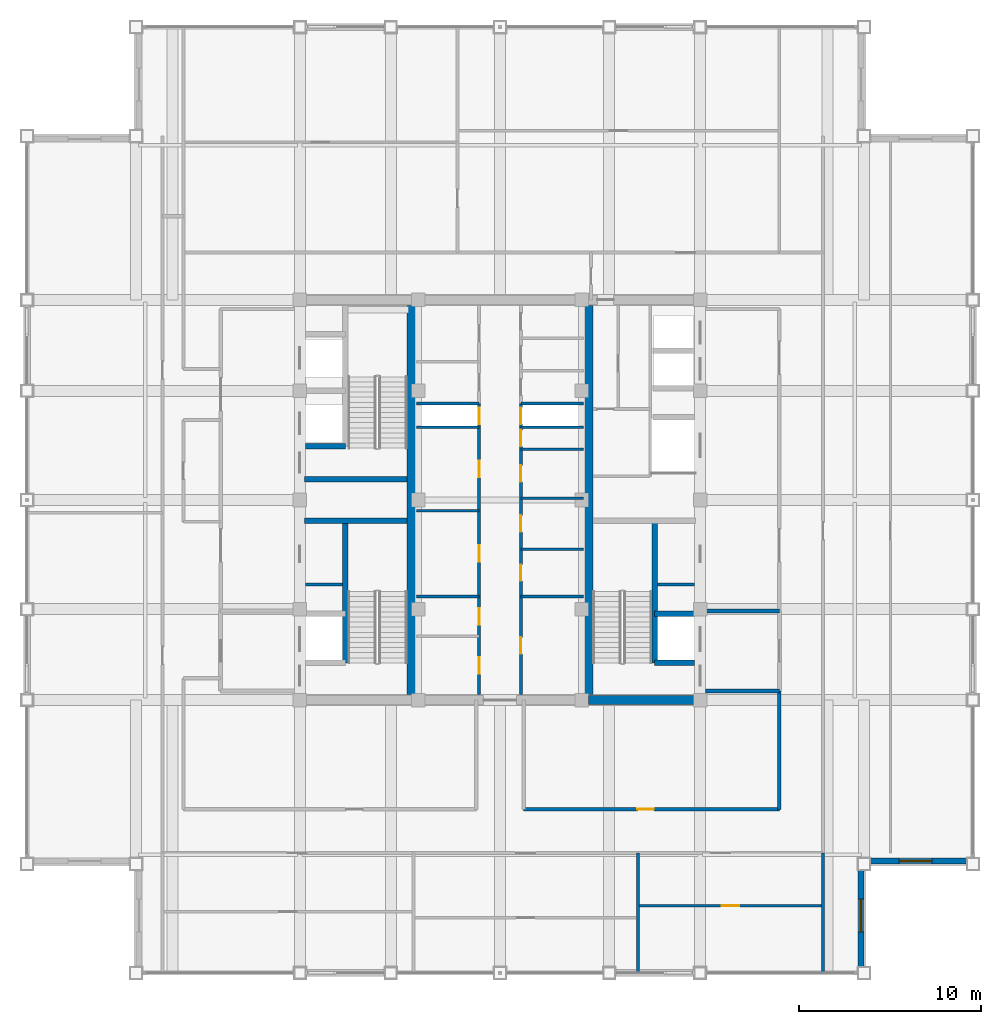
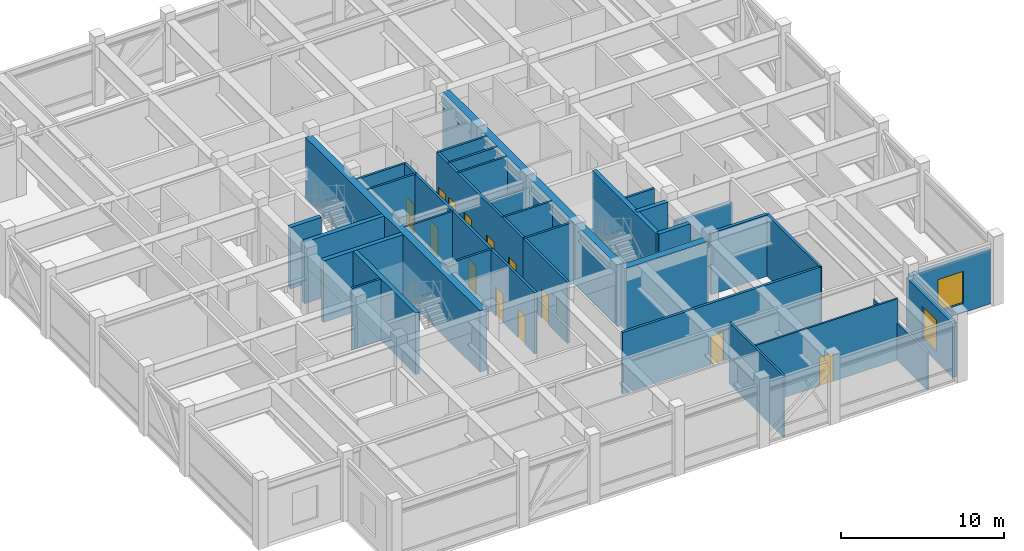
# One storey, part 25 of 29: 35 walls, 13 doors, 2 windows, 15 openings.
"""IFC4 building model written with IfcOpenShell, lengths in metres."""

from ifc_helpers import new_model, si_unit, direction, frame, frame_2d, origin, place, context, subcontext, project, spatial, rectangle, extrude, source, transform, mapped, material, layer, layer_set, type_object, element, fill, save


model = new_model("IFC4")

# Units and contexts
model_context = context("Model", 3, precision=1e-05, world=origin(), true_north=direction((0.0, 1.0)))
body_context = subcontext(model_context, "Body", "Model", "MODEL_VIEW")
ifc_project = project(units=[si_unit("LENGTHUNIT", "METRE"), si_unit("AREAUNIT", "SQUARE_METRE"), si_unit("VOLUMEUNIT", "CUBIC_METRE"), si_unit("PLANEANGLEUNIT", "RADIAN"), si_unit("MASSUNIT", "GRAM", prefix="KILO")], contexts=[model_context])

# Site, building, storey
site_placement = place(None, origin())
site = spatial("IfcSite", under=ifc_project, at=site_placement, CompositionType="ELEMENT")
building_placement = place(site_placement, origin())
building = spatial("IfcBuilding", under=site, at=building_placement, Name="Khorayat Bourse Tower", CompositionType="ELEMENT")
storey_placement = place(building_placement, frame((0.0, 0.0, 370.300048828125)))
storey = spatial("IfcBuildingStorey", under=building, at=storey_placement, Name="L88", CompositionType="ELEMENT", Elevation=370.300048828125)

# Walls
ifc_material_1 = material(Name="Concrete C52/65", Category="concrete")
ifc_layer_1 = layer(ifc_material_1, 0.5)
ifc_layer_set_1 = layer_set([ifc_layer_1], Name="Concrete C52/65")
wall_type_1 = type_object("IfcWallType", Name="WAL-CORE-500", PredefinedType="SHEAR", material=ifc_layer_set_1)
shared_shape_1 = source(origin(), body_context, "Body", "SweptSolid", [
    extrude(rectangle(XDim=21.39990234375, YDim=0.5, at=frame_2d((10.699951171875, 0.0))), origin(), (0.0, 0.0, 1.0), 4.599853515625),
])
for number, where, z_axis, x_axis, name in (
    (1, (-4.85009765625, -10.699951171875, 0.0), (0.0, 0.0, 1.0), (0.0, 1.0, 0.0), "L88 Core Shear Wall PIER-W"),
    (2, (4.85009765625, -10.699951171875, 0.0), (0.0, 0.0, 1.0), (0.0, 1.0, 0.0), "L88 Core Shear Wall PIER-E"),
):
    element("IfcWall", number, at=place(storey_placement, frame(where, z_axis=z_axis, x_axis=x_axis)), inside=storey, type_object=wall_type_1, Name=name, PredefinedType="SHEAR", context=body_context, shape_type="MappedRepresentation", body=[
        mapped(shared_shape_1, transform((0.0, 0.0, 0.0), scale=1.0)),
    ])
ifc_material_2 = material(Name="Concrete C50/60", Category="concrete")
ifc_layer_2 = layer(ifc_material_2, 0.300048828125)
ifc_layer_set_2 = layer_set([ifc_layer_2], Name="Concrete C50/60")
wall_type_2 = type_object("IfcWallType", Name="WAL-SHAFT-300", PredefinedType="SHEAR", material=ifc_layer_set_2)
shared_shape_2 = source(origin(), body_context, "Body", "SweptSolid", [
    extrude(rectangle(XDim=5.64990234375, YDim=0.300048828125, at=frame_2d((2.824951171875, 0.0))), origin(), (0.0, 0.0, 1.0), 4.599853515625),
])
for number, where, z_axis, x_axis, name in (
    (3, (-10.75, -1.14990234375, 0.0), (0.0, 0.0, 1.0), (1.0, 0.0, 0.0), "L88 Core Shear Wall ST1-DIV"),
    (4, (-10.75, 1.14990234375, 0.0), (0.0, 0.0, 1.0), (1.0, 0.0, 0.0), "L88 Core Shear Wall ST2-DIV"),
):
    element("IfcWall", number, at=place(storey_placement, frame(where, z_axis=z_axis, x_axis=x_axis)), inside=storey, type_object=wall_type_2, Name=name, PredefinedType="SHEAR", context=body_context, shape_type="MappedRepresentation", body=[
        mapped(shared_shape_2, transform((0.0, 0.0, 0.0), scale=1.0)),
    ])
shared_shape_3 = source(origin(), body_context, "Body", "SweptSolid", [
    extrude(rectangle(XDim=5.89990234375, YDim=0.5, at=frame_2d((2.949951171875, 0.0))), origin(), (0.0, 0.0, 1.0), 4.599853515625),
])
wall_1_placement = place(storey_placement, frame((4.85009765625, -11.0, 0.0), z_axis=(0.0, 0.0, 1.0), x_axis=(1.0, 0.0, 0.0)))
element("IfcWall", 5, at=wall_1_placement, inside=storey, type_object=wall_type_1, Name="L88 Core Shear Wall PIER-ES", PredefinedType="SHEAR", context=body_context, shape_type="MappedRepresentation", body=[
    mapped(shared_shape_3, transform((0.0, 0.0, 0.0), scale=1.0)),
])

# Wall, opening, window
ifc_material_3 = material(Name="Precast concrete C45/55", Category="concrete")
ifc_layer_3 = layer(ifc_material_3, 0.320068359375)
ifc_layer_set_3 = layer_set([ifc_layer_3], Name="Precast concrete C45/55")
wall_type_3 = type_object("IfcWallType", Name="WAL-EXT-STONE-320", PredefinedType="STANDARD", material=ifc_layer_set_3)
shared_shape_4 = source(origin(), body_context, "Body", "SweptSolid", [
    extrude(rectangle(XDim=5.679931640625, YDim=0.320068359375, at=frame_2d((2.83984375, 0.0))), origin(), (0.0, 0.0, 1.0), 4.051025390625),
])
wall_2_placement = place(storey_placement, frame((19.840087890625, -25.679931640625, 0.0), z_axis=(0.0, 0.0, 1.0), x_axis=(0.0, 1.0, 0.0)))
wall_2 = element("IfcWall", 6, at=wall_2_placement, inside=storey, type_object=wall_type_3, Name="L88 Re-Entrant Notch Limestone Wall SE-V", PredefinedType="STANDARD", context=body_context, shape_type="MappedRepresentation", body=[
    mapped(shared_shape_4, transform((0.0, 0.0, 0.0), scale=1.0)),
])
shared_shape_5 = source(origin(), body_context, "Body", "SweptSolid", [
    extrude(rectangle(XDim=1.800048828125, YDim=2.39990234375, at=frame_2d((0.89990234375, 1.199951171875))), frame((0.0, 0.169921875, 0.0), z_axis=(0.0, -1.0, 0.0), x_axis=(1.0, 0.0, 0.0)), (0.0, 0.0, 1.0), 0.340087890625),
])
opening_1_placement = place(wall_2_placement, frame((1.93994140625, 0.0, 0.699951171875)))
opening_1 = element("IfcOpeningElement", 7, at=opening_1_placement, cuts=wall_2, Name="Opening WN-04", PredefinedType="OPENING", context=body_context, shape_type="MappedRepresentation", body=[
    mapped(shared_shape_5, transform((0.0, 0.0, 0.0), scale=1.0)),
])
ifc_material_4 = material(Name="Low-E acoustic laminated double glazing", Category="glass")
window_type = type_object("IfcWindowType", Name="WIN-NOTCH-1800x2400", PartitioningType="SINGLE_PANEL", PredefinedType="WINDOW", material=ifc_material_4)
shared_shape_6 = source(origin(), body_context, "Body", "SweptSolid", [
    extrude(rectangle(XDim=1.800048828125, YDim=2.39990234375, at=frame_2d((0.89990234375, 1.199951171875))), frame((0.0, 0.030029296875, 0.0), z_axis=(0.0, -1.0, 0.0), x_axis=(1.0, 0.0, 0.0)), (0.0, 0.0, 1.0), 0.06005859375),
])
window_1_placement = place(opening_1_placement, origin())
window_1 = element("IfcWindow", 8, at=window_1_placement, inside=storey, type_object=window_type, Name="L88 Facade Window 1", OverallHeight=2.39990234375, OverallWidth=1.800048828125, PartitioningType="SINGLE_PANEL", PredefinedType="WINDOW", context=body_context, shape_type="MappedRepresentation", body=[
    mapped(shared_shape_6, transform((0.0, 0.0, 0.0), scale=1.0)),
])
fill(opening_1, window_1)

wall_3_placement = place(storey_placement, frame((20.0, -19.840087890625, 0.0), z_axis=(0.0, 0.0, 1.0), x_axis=(1.0, 0.0, 0.0)))
wall_3 = element("IfcWall", 9, at=wall_3_placement, inside=storey, type_object=wall_type_3, Name="L88 Re-Entrant Notch Limestone Wall SE-H", PredefinedType="STANDARD", context=body_context, shape_type="MappedRepresentation", body=[
    mapped(shared_shape_4, transform((0.0, 0.0, 0.0), scale=1.0)),
])
opening_2_placement = place(wall_3_placement, frame((1.93994140625, 0.0, 0.699951171875)))
opening_2 = element("IfcOpeningElement", 10, at=opening_2_placement, cuts=wall_3, Name="Opening WN-04", PredefinedType="OPENING", context=body_context, shape_type="MappedRepresentation", body=[
    mapped(shared_shape_5, transform((0.0, 0.0, 0.0), scale=1.0)),
])
window_2_placement = place(opening_2_placement, origin())
window_2 = element("IfcWindow", 11, at=window_2_placement, inside=storey, type_object=window_type, Name="L88 Facade Window 1", OverallHeight=2.39990234375, OverallWidth=1.800048828125, PartitioningType="SINGLE_PANEL", PredefinedType="WINDOW", context=body_context, shape_type="MappedRepresentation", body=[
    mapped(shared_shape_6, transform((0.0, 0.0, 0.0), scale=1.0)),
])
fill(opening_2, window_2)

# Walls
ifc_material_5 = material(Name="Aerated concrete blockwork", Category="masonry")
ifc_layer_4 = layer(ifc_material_5, 0.219970703125)
ifc_layer_set_4 = layer_set([ifc_layer_4], Name="Aerated concrete blockwork")
wall_type_4 = type_object("IfcWallType", Name="WAL-PART-FF-220", PredefinedType="PARTITIONING", material=ifc_layer_set_4)
shared_shape_7 = source(origin(), body_context, "Body", "SweptSolid", [
    extrude(rectangle(XDim=4.050048828125, YDim=0.219970703125, at=frame_2d((2.02490234375, 0.0))), origin(), (0.0, 0.0, 1.0), 2.800048828125),
])
wall_4_placement = place(storey_placement, frame((11.300048828125, -6.10009765625, 0.0), z_axis=(0.0, 0.0, 1.0), x_axis=(1.0, 0.0, 0.0)))
element("IfcWall", 12, at=wall_4_placement, inside=storey, type_object=wall_type_4, Name="L88 Partition WAL-L88-FFLE-N", PredefinedType="PARTITIONING", context=body_context, shape_type="MappedRepresentation", body=[
    mapped(shared_shape_7, transform((0.0, 0.0, 0.0), scale=1.0)),
])
shared_shape_8 = source(origin(), body_context, "Body", "SweptSolid", [
    extrude(rectangle(XDim=7.800048828125, YDim=0.300048828125, at=frame_2d((3.89990234375, 0.0))), origin(), (0.0, 0.0, 1.0), 4.599853515625),
])
for number, where, z_axis, x_axis, name in (
    (13, (-8.5, -8.949951171875, 0.0), (0.0, 0.0, 1.0), (0.0, 1.0, 0.0), "L88 Partition WAL-L88-WPIER-SP"),
    (14, (8.5, -8.949951171875, 0.0), (0.0, 0.0, 1.0), (0.0, 1.0, 0.0), "L88 Partition WAL-L88-EPIER-SP"),
):
    element("IfcWall", number, at=place(storey_placement, frame(where, z_axis=z_axis, x_axis=x_axis)), inside=storey, type_object=wall_type_2, Name=name, PredefinedType="SHEAR", context=body_context, shape_type="MappedRepresentation", body=[
        mapped(shared_shape_8, transform((0.0, 0.0, 0.0), scale=1.0)),
    ])
shared_shape_9 = source(origin(), body_context, "Body", "SweptSolid", [
    extrude(rectangle(XDim=2.199951171875, YDim=0.300048828125, at=frame_2d((1.10009765625, 0.0))), origin(), (0.0, 0.0, 1.0), 4.599853515625),
])
for number, where, z_axis, x_axis, name in (
    (15, (-10.699951171875, 2.949951171875, 0.0), (0.0, 0.0, 1.0), (1.0, 0.0, 0.0), "L88 Partition WAL-L88-WPIER-H1S"),
    (16, (8.5, -8.949951171875, 0.0), (0.0, 0.0, 1.0), (1.0, 0.0, 0.0), "L88 Partition WAL-L88-EPIER-FF2S"),
    (17, (8.5, -6.25, 0.0), (0.0, 0.0, 1.0), (1.0, 0.0, 0.0), "L88 Partition WAL-L88-EPIER-FF2N"),
):
    element("IfcWall", number, at=place(storey_placement, frame(where, z_axis=z_axis, x_axis=x_axis)), inside=storey, type_object=wall_type_2, Name=name, PredefinedType="SHEAR", context=body_context, shape_type="MappedRepresentation", body=[
        mapped(shared_shape_9, transform((0.0, 0.0, 0.0), scale=1.0)),
    ])
ifc_material_6 = material(Name="Gypsum plasterboard twin-frame partition")
ifc_layer_5 = layer(ifc_material_6, 0.14990234375)
ifc_layer_set_5 = layer_set([ifc_layer_5], Name="Gypsum plasterboard twin-frame partition")
wall_type_5 = type_object("IfcWallType", Name="WAL-PART-SUITE-150", PredefinedType="PARTITIONING", material=ifc_layer_set_5)
shared_shape_10 = source(origin(), body_context, "Body", "SweptSolid", [
    extrude(rectangle(XDim=2.050048828125, YDim=0.14990234375, at=frame_2d((1.02490234375, 0.0))), origin(), (0.0, 0.0, 1.0), 4.599853515625),
])
for number, where, z_axis, x_axis, name in (
    (18, (-10.699951171875, -4.64990234375, 0.0), (0.0, 0.0, 1.0), (1.0, 0.0, 0.0), "L88 Partition WAL-L88-WSRV-S0"),
    (19, (8.64990234375, -4.64990234375, 0.0), (0.0, 0.0, 1.0), (1.0, 0.0, 0.0), "L88 Partition WAL-L88-ESRV-S0"),
):
    element("IfcWall", number, at=place(storey_placement, frame(where, z_axis=z_axis, x_axis=x_axis)), inside=storey, type_object=wall_type_5, Name=name, PredefinedType="PARTITIONING", context=body_context, shape_type="MappedRepresentation", body=[
        mapped(shared_shape_10, transform((0.0, 0.0, 0.0), scale=1.0)),
    ])
shared_shape_11 = source(origin(), body_context, "Body", "SweptSolid", [
    extrude(rectangle(XDim=4.050048828125, YDim=0.219970703125, at=frame_2d((2.02490234375, 0.0))), origin(), (0.0, 0.0, 1.0), 4.599853515625),
])
wall_5_placement = place(storey_placement, frame((11.300048828125, -10.5, 0.0), z_axis=(0.0, 0.0, 1.0), x_axis=(1.0, 0.0, 0.0)))
element("IfcWall", 20, at=wall_5_placement, inside=storey, type_object=wall_type_4, Name="L88 Partition WAL-L88-FFLE-S", PredefinedType="PARTITIONING", context=body_context, shape_type="MappedRepresentation", body=[
    mapped(shared_shape_11, transform((0.0, 0.0, 0.0), scale=1.0)),
])
shared_shape_12 = source(origin(), body_context, "Body", "SweptSolid", [
    extrude(rectangle(XDim=3.4501953125, YDim=0.14990234375, at=frame_2d((1.72509765625, 0.0))), origin(), (0.0, 0.0, 1.0), 4.599853515625),
])
for number, where, z_axis, x_axis, name in (
    (21, (-4.60009765625, 4.0, 0.0), (0.0, 0.0, 1.0), (1.0, 0.0, 0.0), "L88 Partition WAL-L88-CRSW-S"),
    (22, (1.14990234375, 4.0, 0.0), (0.0, 0.0, 1.0), (1.0, 0.0, 0.0), "L88 Partition WAL-L88-CRSE-S"),
    (23, (-4.60009765625, -5.300048828125, 0.0), (0.0, 0.0, 1.0), (1.0, 0.0, 0.0), "L88 Partition WAL-L88-FB1-NW"),
    (24, (1.14990234375, -5.300048828125, 0.0), (0.0, 0.0, 1.0), (1.0, 0.0, 0.0), "L88 Partition WAL-L88-FB1-NE"),
    (25, (-4.60009765625, 5.300048828125, 0.0), (0.0, 0.0, 1.0), (1.0, 0.0, 0.0), "L88 Partition WAL-L88-FB2-SW"),
    (26, (1.14990234375, 5.300048828125, 0.0), (0.0, 0.0, 1.0), (1.0, 0.0, 0.0), "L88 Partition WAL-L88-FB2-SE"),
):
    element("IfcWall", number, at=place(storey_placement, frame(where, z_axis=z_axis, x_axis=x_axis)), inside=storey, type_object=wall_type_5, Name=name, PredefinedType="PARTITIONING", context=body_context, shape_type="MappedRepresentation", body=[
        mapped(shared_shape_12, transform((0.0, 0.0, 0.0), scale=1.0)),
    ])

# Wall, openings, doors
ifc_material_7 = material(Name="Gypsum plasterboard acoustic stud wall")
ifc_layer_6 = layer(ifc_material_7, 0.179931640625)
ifc_layer_set_6 = layer_set([ifc_layer_6], Name="Gypsum plasterboard acoustic stud wall")
wall_type_6 = type_object("IfcWallType", Name="WAL-PART-CORR-180", PredefinedType="PARTITIONING", material=ifc_layer_set_6)
shared_shape_13 = source(origin(), body_context, "Body", "SweptSolid", [
    extrude(rectangle(XDim=5.39990234375, YDim=0.179931640625, at=frame_2d((2.699951171875, 0.0))), origin(), (0.0, 0.0, 1.0), 4.599853515625),
])
wall_6_placement = place(storey_placement, frame((-1.14990234375, -10.699951171875, 0.0), z_axis=(0.0, 0.0, 1.0), x_axis=(0.0, 1.0, 0.0)))
wall_6 = element("IfcWall", 27, at=wall_6_placement, inside=storey, type_object=wall_type_6, Name="L88 Partition WAL-L88-FB1W-L", PredefinedType="PARTITIONING", context=body_context, shape_type="MappedRepresentation", body=[
    mapped(shared_shape_13, transform((0.0, 0.0, 0.0), scale=1.0)),
])
shared_shape_14 = source(origin(), body_context, "Body", "SweptSolid", [
    extrude(rectangle(XDim=0.89990234375, YDim=2.14990234375, at=frame_2d((0.449951171875, 1.074951171875))), frame((0.0, 0.099853515625, 0.0), z_axis=(0.0, -1.0, 0.0), x_axis=(1.0, 0.0, 0.0)), (0.0, 0.0, 1.0), 0.199951171875),
])
opening_3_placement = place(wall_6_placement, frame((1.14990234375, 0.0, 0.0)))
opening_3 = element("IfcOpeningElement", 28, at=opening_3_placement, cuts=wall_6, Name="Opening DI-06", PredefinedType="OPENING", context=body_context, shape_type="MappedRepresentation", body=[
    mapped(shared_shape_14, transform((0.0, 0.0, 0.0), scale=1.0)),
])
opening_4_placement = place(wall_6_placement, frame((3.85009765625, 0.0, 0.0)))
opening_4 = element("IfcOpeningElement", 29, at=opening_4_placement, cuts=wall_6, Name="Opening DI-06", PredefinedType="OPENING", context=body_context, shape_type="MappedRepresentation", body=[
    mapped(shared_shape_14, transform((0.0, 0.0, 0.0), scale=1.0)),
])
ifc_material_8 = material(Name="Moisture-resistant laminate washroom door")
door_type_1 = type_object("IfcDoorType", Name="DR-INT-WC-900", OperationType="NOTDEFINED", PredefinedType="DOOR", material=ifc_material_8)
shared_shape_15 = source(origin(), body_context, "Body", "SweptSolid", [
    extrude(rectangle(XDim=0.89990234375, YDim=2.14990234375, at=frame_2d((0.449951171875, 1.074951171875))), frame((0.0, 0.02490234375, 0.0), z_axis=(0.0, -1.0, 0.0), x_axis=(1.0, 0.0, 0.0)), (0.0, 0.0, 1.0), 0.050048828125),
])
door_1_placement = place(opening_3_placement, origin())
door_1 = element("IfcDoor", 30, at=door_1_placement, inside=storey, type_object=door_type_1, Name="L88 Records Vault Store Door", OperationType="SINGLE_SWING_RIGHT", OverallHeight=2.14990234375, OverallWidth=0.89990234375, PredefinedType="DOOR", context=body_context, shape_type="MappedRepresentation", body=[
    mapped(shared_shape_15, transform((0.0, 0.0, 0.0), scale=1.0)),
])
fill(opening_3, door_1)
door_2_placement = place(opening_4_placement, origin())
door_2 = element("IfcDoor", 31, at=door_2_placement, inside=storey, type_object=door_type_1, Name="L88 Sprinkler Valve Plant Room Door", OperationType="SINGLE_SWING_LEFT", OverallHeight=2.14990234375, OverallWidth=0.89990234375, PredefinedType="DOOR", context=body_context, shape_type="MappedRepresentation", body=[
    mapped(shared_shape_15, transform((0.0, 0.0, 0.0), scale=1.0)),
])
fill(opening_4, door_2)

# Wall, opening, door
wall_7_placement = place(storey_placement, frame((1.14990234375, -10.699951171875, 0.0), z_axis=(0.0, 0.0, 1.0), x_axis=(0.0, 1.0, 0.0)))
wall_7 = element("IfcWall", 32, at=wall_7_placement, inside=storey, type_object=wall_type_6, Name="L88 Partition WAL-L88-FB1E-L", PredefinedType="PARTITIONING", context=body_context, shape_type="MappedRepresentation", body=[
    mapped(shared_shape_13, transform((0.0, 0.0, 0.0), scale=1.0)),
])
opening_5_placement = place(wall_7_placement, frame((2.25, 0.0, 0.0)))
opening_5 = element("IfcOpeningElement", 33, at=opening_5_placement, cuts=wall_7, Name="Opening DI-06", PredefinedType="OPENING", context=body_context, shape_type="MappedRepresentation", body=[
    mapped(shared_shape_14, transform((0.0, 0.0, 0.0), scale=1.0)),
])
door_3_placement = place(opening_5_placement, origin())
door_3 = element("IfcDoor", 34, at=door_3_placement, inside=storey, type_object=door_type_1, Name="L88 Telemetry Server Plant Room Door", OperationType="SINGLE_SWING_RIGHT", OverallHeight=2.14990234375, OverallWidth=0.89990234375, PredefinedType="DOOR", context=body_context, shape_type="MappedRepresentation", body=[
    mapped(shared_shape_15, transform((0.0, 0.0, 0.0), scale=1.0)),
])
fill(opening_5, door_3)

# Walls
ifc_material_9 = material(Name="Moisture-resistant masonry partition", Category="masonry")
ifc_layer_7 = layer(ifc_material_9, 0.139892578125)
ifc_layer_set_7 = layer_set([ifc_layer_7], Name="Moisture-resistant masonry partition")
wall_type_7 = type_object("IfcWallType", Name="WAL-PART-WET-140", PredefinedType="PARTITIONING", material=ifc_layer_set_7)
shared_shape_16 = source(origin(), body_context, "Body", "SweptSolid", [
    extrude(rectangle(XDim=3.4501953125, YDim=0.139892578125, at=frame_2d((1.72509765625, 0.0))), origin(), (0.0, 0.0, 1.0), 4.599853515625),
])
for number, where, z_axis, x_axis, name in (
    (35, (-4.60009765625, -0.60009765625, 0.0), (0.0, 0.0, 1.0), (1.0, 0.0, 0.0), "L88 Partition WAL-L88-CMW-D1"),
    (36, (1.14990234375, -2.699951171875, 0.0), (0.0, 0.0, 1.0), (1.0, 0.0, 0.0), "L88 Partition WAL-L88-CME-D1"),
    (37, (1.14990234375, 2.800048828125, 0.0), (0.0, 0.0, 1.0), (1.0, 0.0, 0.0), "L88 Partition WAL-L88-CME-D3"),
):
    element("IfcWall", number, at=place(storey_placement, frame(where, z_axis=z_axis, x_axis=x_axis)), inside=storey, type_object=wall_type_7, Name=name, PredefinedType="PARTITIONING", context=body_context, shape_type="MappedRepresentation", body=[
        mapped(shared_shape_16, transform((0.0, 0.0, 0.0), scale=1.0)),
    ])

# Wall, openings, doors
shared_shape_17 = source(origin(), body_context, "Body", "SweptSolid", [
    extrude(rectangle(XDim=10.60009765625, YDim=0.179931640625, at=frame_2d((5.300048828125, 0.0))), origin(), (0.0, 0.0, 1.0), 4.599853515625),
])
wall_8_placement = place(storey_placement, frame((-1.14990234375, -5.300048828125, 0.0), z_axis=(0.0, 0.0, 1.0), x_axis=(0.0, 1.0, 0.0)))
wall_8 = element("IfcWall", 38, at=wall_8_placement, inside=storey, type_object=wall_type_6, Name="L88 Partition WAL-L88-CMW-L", PredefinedType="PARTITIONING", context=body_context, shape_type="MappedRepresentation", body=[
    mapped(shared_shape_17, transform((0.0, 0.0, 0.0), scale=1.0)),
])
opening_6_placement = place(wall_8_placement, frame((1.89990234375, 0.0, 0.0)))
opening_6 = element("IfcOpeningElement", 39, at=opening_6_placement, cuts=wall_8, Name="Opening DI-06", PredefinedType="OPENING", context=body_context, shape_type="MappedRepresentation", body=[
    mapped(shared_shape_14, transform((0.0, 0.0, 0.0), scale=1.0)),
])
opening_7_placement = place(wall_8_placement, frame((6.550048828125, 0.0, 0.0)))
opening_7 = element("IfcOpeningElement", 40, at=opening_7_placement, cuts=wall_8, Name="Opening DI-06", PredefinedType="OPENING", context=body_context, shape_type="MappedRepresentation", body=[
    mapped(shared_shape_14, transform((0.0, 0.0, 0.0), scale=1.0)),
])
opening_8_placement = place(wall_8_placement, frame((9.47509765625, 0.0, 0.0)))
opening_8 = element("IfcOpeningElement", 41, at=opening_8_placement, cuts=wall_8, Name="Opening DI-06", PredefinedType="OPENING", context=body_context, shape_type="MappedRepresentation", body=[
    mapped(shared_shape_14, transform((0.0, 0.0, 0.0), scale=1.0)),
])
door_4_placement = place(opening_6_placement, origin())
door_4 = element("IfcDoor", 42, at=door_4_placement, inside=storey, type_object=door_type_1, Name="L88 Male Core Washroom Door", OperationType="SINGLE_SWING_RIGHT", OverallHeight=2.14990234375, OverallWidth=0.89990234375, PredefinedType="DOOR", context=body_context, shape_type="MappedRepresentation", body=[
    mapped(shared_shape_15, transform((0.0, 0.0, 0.0), scale=1.0)),
])
fill(opening_6, door_4)
door_5_placement = place(opening_7_placement, origin())
door_5 = element("IfcDoor", 43, at=door_5_placement, inside=storey, type_object=door_type_1, Name="L88 Chilled Water Riser Plant Room Door", OperationType="SINGLE_SWING_LEFT", OverallHeight=2.14990234375, OverallWidth=0.89990234375, PredefinedType="DOOR", context=body_context, shape_type="MappedRepresentation", body=[
    mapped(shared_shape_15, transform((0.0, 0.0, 0.0), scale=1.0)),
])
fill(opening_7, door_5)
door_6_placement = place(opening_8_placement, origin())
door_6 = element("IfcDoor", 44, at=door_6_placement, inside=storey, type_object=door_type_1, Name="L88 West Core Riser Door", OperationType="SINGLE_SWING_LEFT", OverallHeight=2.14990234375, OverallWidth=0.89990234375, PredefinedType="DOOR", context=body_context, shape_type="MappedRepresentation", body=[
    mapped(shared_shape_15, transform((0.0, 0.0, 0.0), scale=1.0)),
])
fill(opening_8, door_6)

wall_9_placement = place(storey_placement, frame((1.14990234375, -5.300048828125, 0.0), z_axis=(0.0, 0.0, 1.0), x_axis=(0.0, 1.0, 0.0)))
wall_9 = element("IfcWall", 45, at=wall_9_placement, inside=storey, type_object=wall_type_6, Name="L88 Partition WAL-L88-CME-L", PredefinedType="PARTITIONING", context=body_context, shape_type="MappedRepresentation", body=[
    mapped(shared_shape_17, transform((0.0, 0.0, 0.0), scale=1.0)),
])
opening_9_placement = place(wall_9_placement, frame((0.85009765625, 0.0, 0.0)))
opening_9 = element("IfcOpeningElement", 46, at=opening_9_placement, cuts=wall_9, Name="Opening DI-06", PredefinedType="OPENING", context=body_context, shape_type="MappedRepresentation", body=[
    mapped(shared_shape_14, transform((0.0, 0.0, 0.0), scale=1.0)),
])
opening_10_placement = place(wall_9_placement, frame((3.550048828125, 0.0, 0.0)))
opening_10 = element("IfcOpeningElement", 47, at=opening_10_placement, cuts=wall_9, Name="Opening DI-06", PredefinedType="OPENING", context=body_context, shape_type="MappedRepresentation", body=[
    mapped(shared_shape_14, transform((0.0, 0.0, 0.0), scale=1.0)),
])
opening_11_placement = place(wall_9_placement, frame((6.300048828125, 0.0, 0.0)))
opening_11 = element("IfcOpeningElement", 48, at=opening_11_placement, cuts=wall_9, Name="Opening DI-06", PredefinedType="OPENING", context=body_context, shape_type="MappedRepresentation", body=[
    mapped(shared_shape_14, transform((0.0, 0.0, 0.0), scale=1.0)),
])
opening_12_placement = place(wall_9_placement, frame((8.25, 0.0, 0.0)))
opening_12 = element("IfcOpeningElement", 49, at=opening_12_placement, cuts=wall_9, Name="Opening DI-06", PredefinedType="OPENING", context=body_context, shape_type="MappedRepresentation", body=[
    mapped(shared_shape_14, transform((0.0, 0.0, 0.0), scale=1.0)),
])
opening_13_placement = place(wall_9_placement, frame((9.47509765625, 0.0, 0.0)))
opening_13 = element("IfcOpeningElement", 50, at=opening_13_placement, cuts=wall_9, Name="Opening DI-06", PredefinedType="OPENING", context=body_context, shape_type="MappedRepresentation", body=[
    mapped(shared_shape_14, transform((0.0, 0.0, 0.0), scale=1.0)),
])
door_7_placement = place(opening_9_placement, origin())
door_7 = element("IfcDoor", 51, at=door_7_placement, inside=storey, type_object=door_type_1, Name="L88 Female Core Washroom Door", OperationType="SINGLE_SWING_RIGHT", OverallHeight=2.14990234375, OverallWidth=0.89990234375, PredefinedType="DOOR", context=body_context, shape_type="MappedRepresentation", body=[
    mapped(shared_shape_15, transform((0.0, 0.0, 0.0), scale=1.0)),
])
fill(opening_9, door_7)
door_8_placement = place(opening_10_placement, origin())
door_8 = element("IfcDoor", 52, at=door_8_placement, inside=storey, type_object=door_type_1, Name="L88 Comms Patch Room Door", OperationType="SINGLE_SWING_LEFT", OverallHeight=2.14990234375, OverallWidth=0.89990234375, PredefinedType="DOOR", context=body_context, shape_type="MappedRepresentation", body=[
    mapped(shared_shape_15, transform((0.0, 0.0, 0.0), scale=1.0)),
])
fill(opening_10, door_8)
door_9_placement = place(opening_11_placement, origin())
door_9 = element("IfcDoor", 53, at=door_9_placement, inside=storey, type_object=door_type_1, Name="L88 Janitor Cupboard Door", OperationType="SINGLE_SWING_RIGHT", OverallHeight=2.14990234375, OverallWidth=0.89990234375, PredefinedType="DOOR", context=body_context, shape_type="MappedRepresentation", body=[
    mapped(shared_shape_15, transform((0.0, 0.0, 0.0), scale=1.0)),
])
fill(opening_11, door_9)
door_10_placement = place(opening_12_placement, origin())
door_10 = element("IfcDoor", 54, at=door_10_placement, inside=storey, type_object=door_type_1, Name="L88 Fire Valve Plant Room Door", OperationType="SINGLE_SWING_LEFT", OverallHeight=2.14990234375, OverallWidth=0.89990234375, PredefinedType="DOOR", context=body_context, shape_type="MappedRepresentation", body=[
    mapped(shared_shape_15, transform((0.0, 0.0, 0.0), scale=1.0)),
])
fill(opening_12, door_10)
door_11_placement = place(opening_13_placement, origin())
door_11 = element("IfcDoor", 55, at=door_11_placement, inside=storey, type_object=door_type_1, Name="L88 East Core Riser Door", OperationType="SINGLE_SWING_RIGHT", OverallHeight=2.14990234375, OverallWidth=0.89990234375, PredefinedType="DOOR", context=body_context, shape_type="MappedRepresentation", body=[
    mapped(shared_shape_15, transform((0.0, 0.0, 0.0), scale=1.0)),
])
fill(opening_13, door_11)

# Wall
shared_shape_18 = source(origin(), body_context, "Body", "SweptSolid", [
    extrude(rectangle(XDim=3.4501953125, YDim=0.139892578125, at=frame_2d((1.72509765625, 0.0))), origin(), (0.0, 0.0, 1.0), 3.905029296875),
])
wall_10_placement = place(storey_placement, frame((1.14990234375, 0.10009765625, 0.0), z_axis=(0.0, 0.0, 1.0), x_axis=(1.0, 0.0, 0.0)))
element("IfcWall", 56, at=wall_10_placement, inside=storey, type_object=wall_type_7, Name="L88 Partition WAL-L88-CME-D2", PredefinedType="PARTITIONING", context=body_context, shape_type="MappedRepresentation", body=[
    mapped(shared_shape_18, transform((0.0, 0.0, 0.0), scale=1.0)),
])

# Wall, opening, door
shared_shape_19 = source(origin(), body_context, "Body", "SweptSolid", [
    extrude(rectangle(XDim=14.050048828125, YDim=0.179931640625, at=frame_2d((7.02490234375, 0.0))), origin(), (0.0, 0.0, 1.0), 4.599853515625),
])
wall_11_placement = place(storey_placement, frame((1.300048828125, -17.0, 0.0), z_axis=(0.0, 0.0, 1.0), x_axis=(1.0, 0.0, 0.0)))
wall_11 = element("IfcWall", 57, at=wall_11_placement, inside=storey, type_object=wall_type_6, Name="L88 Partition WAL-L88-PKSE-S", PredefinedType="PARTITIONING", context=body_context, shape_type="MappedRepresentation", body=[
    mapped(shared_shape_19, transform((0.0, 0.0, 0.0), scale=1.0)),
])
opening_14_placement = place(wall_11_placement, frame((6.25, 0.0, 0.0)))
opening_14 = element("IfcOpeningElement", 58, at=opening_14_placement, cuts=wall_11, Name="Opening DI-06", PredefinedType="OPENING", context=body_context, shape_type="MappedRepresentation", body=[
    mapped(shared_shape_14, transform((0.0, 0.0, 0.0), scale=1.0)),
])
door_12_placement = place(opening_14_placement, origin())
door_12 = element("IfcDoor", 59, at=door_12_placement, inside=storey, type_object=door_type_1, Name="L88 SE Inboard Study Door", OperationType="SINGLE_SWING_RIGHT", OverallHeight=2.14990234375, OverallWidth=0.89990234375, PredefinedType="DOOR", context=body_context, shape_type="MappedRepresentation", body=[
    mapped(shared_shape_15, transform((0.0, 0.0, 0.0), scale=1.0)),
])
fill(opening_14, door_12)

# Walls
shared_shape_20 = source(origin(), body_context, "Body", "SweptSolid", [
    extrude(rectangle(XDim=6.5, YDim=0.179931640625, at=frame_2d((3.25, 0.0))), origin(), (0.0, 0.0, 1.0), 4.599853515625),
])
wall_12_placement = place(storey_placement, frame((15.35009765625, -17.0, 0.0), z_axis=(0.0, 0.0, 1.0), x_axis=(0.0, 1.0, 0.0)))
element("IfcWall", 60, at=wall_12_placement, inside=storey, type_object=wall_type_6, Name="L88 Partition WAL-L88-PKSE-E", PredefinedType="PARTITIONING", context=body_context, shape_type="MappedRepresentation", body=[
    mapped(shared_shape_20, transform((0.0, 0.0, 0.0), scale=1.0)),
])
shared_shape_21 = source(origin(), body_context, "Body", "SweptSolid", [
    extrude(rectangle(XDim=6.60009765625, YDim=0.14990234375, at=frame_2d((3.300048828125, 0.0))), origin(), (0.0, 0.0, 1.0), 4.599853515625),
])
wall_13_placement = place(storey_placement, frame((7.5859375, -26.0, 0.0), z_axis=(0.0, 0.0, 1.0), x_axis=(0.0, 1.0, 0.0)))
element("IfcWall", 61, at=wall_13_placement, inside=storey, type_object=wall_type_5, Name="L88 Partition WAL-L88-SDV-2", PredefinedType="PARTITIONING", context=body_context, shape_type="MappedRepresentation", body=[
    mapped(shared_shape_21, transform((0.0, 0.0, 0.0), scale=1.0)),
])

# Wall, opening, door
ifc_material_10 = material(Name="Gypsum plasterboard partition")
ifc_layer_8 = layer(ifc_material_10, 0.125)
ifc_layer_set_8 = layer_set([ifc_layer_8], Name="Gypsum plasterboard partition")
wall_type_8 = type_object("IfcWallType", Name="WAL-PART-ROOM-125", PredefinedType="PARTITIONING", material=ifc_layer_set_8)
shared_shape_22 = source(origin(), body_context, "Body", "SweptSolid", [
    extrude(rectangle(XDim=10.1640625, YDim=0.125, at=frame_2d((5.08203125, 0.0))), origin(), (0.0, 0.0, 1.0), 4.599853515625),
])
wall_14_placement = place(storey_placement, frame((7.5859375, -22.303955078125, 0.0), z_axis=(0.0, 0.0, 1.0), x_axis=(1.0, 0.0, 0.0)))
wall_14 = element("IfcWall", 62, at=wall_14_placement, inside=storey, type_object=wall_type_8, Name="L88 Partition WAL-L88-SDP-3", PredefinedType="PARTITIONING", context=body_context, shape_type="MappedRepresentation", body=[
    mapped(shared_shape_22, transform((0.0, 0.0, 0.0), scale=1.0)),
])
shared_shape_23 = source(origin(), body_context, "Body", "SweptSolid", [
    extrude(rectangle(XDim=0.949951171875, YDim=2.14990234375, at=frame_2d((0.47509765625, 1.074951171875))), frame((0.0, 0.072509765625, 0.0), z_axis=(0.0, -1.0, 0.0), x_axis=(1.0, 0.0, 0.0)), (0.0, 0.0, 1.0), 0.14501953125),
])
opening_15_placement = place(wall_14_placement, frame((4.60693359375, 0.0, 0.0)))
opening_15 = element("IfcOpeningElement", 63, at=opening_15_placement, cuts=wall_14, Name="Opening DI-05", PredefinedType="OPENING", context=body_context, shape_type="MappedRepresentation", body=[
    mapped(shared_shape_23, transform((0.0, 0.0, 0.0), scale=1.0)),
])
ifc_material_11 = material(Name="Acoustic oak veneer office door")
door_type_2 = type_object("IfcDoorType", Name="DR-INT-OFFICE-950", OperationType="NOTDEFINED", PredefinedType="DOOR", material=ifc_material_11)
shared_shape_24 = source(origin(), body_context, "Body", "SweptSolid", [
    extrude(rectangle(XDim=0.949951171875, YDim=2.14990234375, at=frame_2d((0.47509765625, 1.074951171875))), frame((0.0, 0.02490234375, 0.0), z_axis=(0.0, -1.0, 0.0), x_axis=(1.0, 0.0, 0.0)), (0.0, 0.0, 1.0), 0.050048828125),
])
door_13_placement = place(opening_15_placement, origin())
door_13 = element("IfcDoor", 64, at=door_13_placement, inside=storey, type_object=door_type_2, Name="L88 Members Club Room S3B Door", OperationType="SINGLE_SWING_RIGHT", OverallHeight=2.14990234375, OverallWidth=0.949951171875, PredefinedType="DOOR", context=body_context, shape_type="MappedRepresentation", body=[
    mapped(shared_shape_24, transform((0.0, 0.0, 0.0), scale=1.0)),
])
fill(opening_15, door_13)

# Wall
shared_shape_25 = source(origin(), body_context, "Body", "SweptSolid", [
    extrude(rectangle(XDim=6.60009765625, YDim=0.14990234375, at=frame_2d((3.300048828125, 0.0))), origin(), (0.0, 0.0, 1.0), 2.800048828125),
])
wall_15_placement = place(storey_placement, frame((17.75, -26.0, 0.0), z_axis=(0.0, 0.0, 1.0), x_axis=(0.0, 1.0, 0.0)))
element("IfcWall", 65, at=wall_15_placement, inside=storey, type_object=wall_type_5, Name="L88 Partition WAL-L88-SCE-END", PredefinedType="PARTITIONING", context=body_context, shape_type="MappedRepresentation", body=[
    mapped(shared_shape_25, transform((0.0, 0.0, 0.0), scale=1.0)),
])

save(model, "model.ifc")
